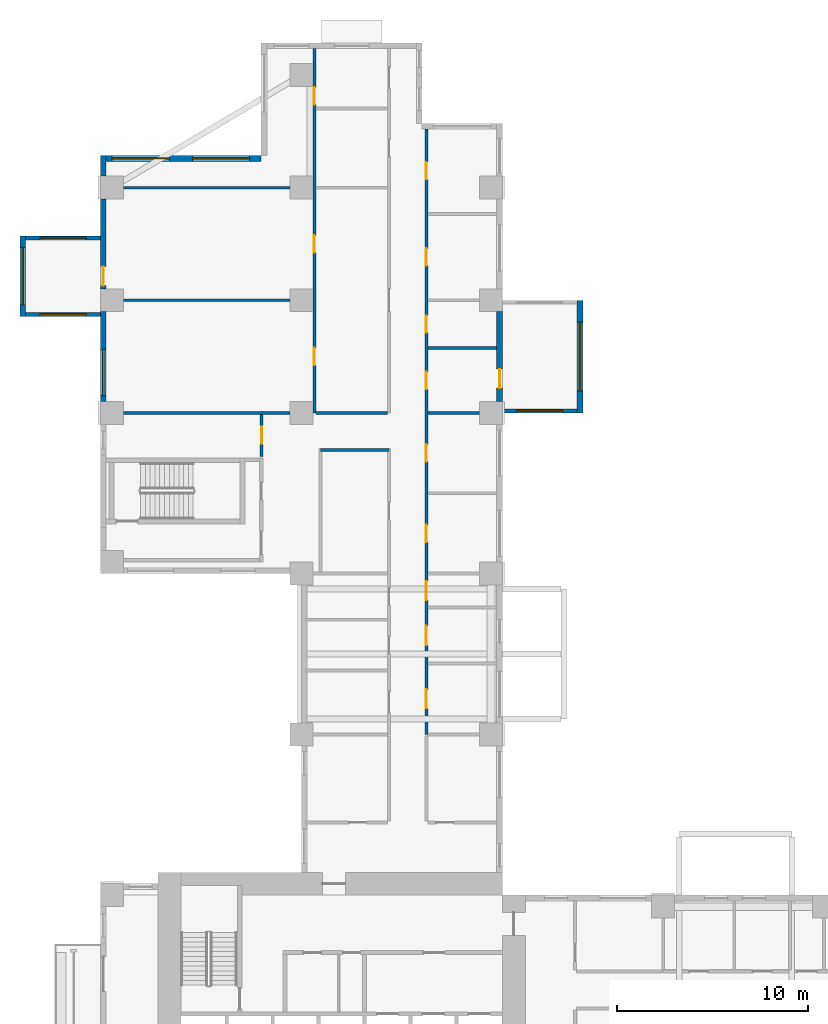
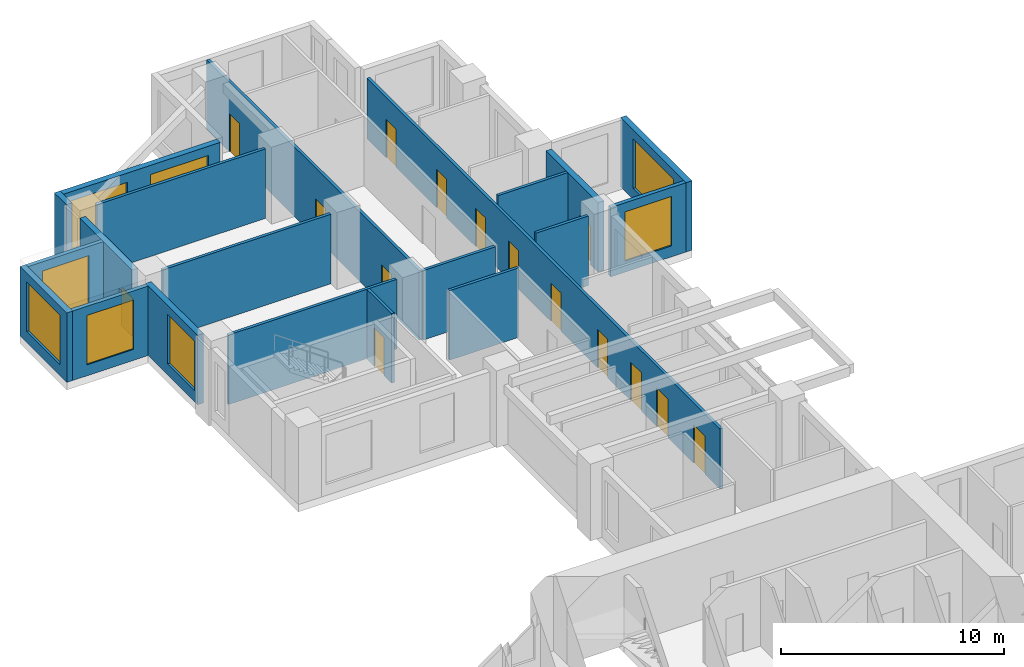
# One storey, part 7 of 15: 20 walls, 15 doors, 8 windows, 23 openings.
"""IFC4 building model written with IfcOpenShell, lengths in metres."""

from ifc_helpers import new_model, si_unit, direction, frame, frame_2d, origin, place, context, subcontext, project, spatial, rectangle, extrude, source, transform, mapped, material, layer, layer_set, type_object, element, fill, save


model = new_model("IFC4")

# Units and contexts
model_context = context("Model", 3, precision=1e-05, world=origin(), true_north=direction((0.0, 1.0)))
body_context = subcontext(model_context, "Body", "Model", "MODEL_VIEW")
ifc_project = project(units=[si_unit("LENGTHUNIT", "METRE"), si_unit("AREAUNIT", "SQUARE_METRE"), si_unit("VOLUMEUNIT", "CUBIC_METRE"), si_unit("PLANEANGLEUNIT", "RADIAN"), si_unit("MASSUNIT", "GRAM", prefix="KILO")], contexts=[model_context])

# Site, building, storey
site_placement = place(None, origin())
site = spatial("IfcSite", under=ifc_project, at=site_placement, CompositionType="ELEMENT")
building_placement = place(site_placement, origin())
building = spatial("IfcBuilding", under=site, at=building_placement, Name="Aurelian Terraces", CompositionType="ELEMENT")
storey_placement = place(building_placement, frame((0.0, 0.0, 74.1)))
storey = spatial("IfcBuildingStorey", under=building, at=storey_placement, Name="L15", CompositionType="ELEMENT", Elevation=74.1)

# Wall, opening, door
ifc_material_1 = material(Name="Terracotta rainscreen cladding", Category="masonry")
ifc_layer_1 = layer(ifc_material_1, 0.3)
ifc_layer_set_1 = layer_set([ifc_layer_1], Name="EW-300")
wall_type_1 = type_object("IfcWallType", Name="EW-300", PredefinedType="STANDARD", material=ifc_layer_set_1)
shared_shape_1 = source(origin(), body_context, "Body", "SweptSolid", [
    extrude(rectangle(XDim=4.68, YDim=0.3, at=frame_2d((2.34, 0.0))), origin(), (0.0, 0.0, 1.0), 3.8),
])
wall_1_placement = place(storey_placement, frame((20.85, 46.8, 0.0), z_axis=(0.0, 0.0, 1.0), x_axis=(0.0, 1.0, 0.0)))
wall_1 = element("IfcWall", 1, at=wall_1_placement, inside=storey, type_object=wall_type_1, Name="External wall L15 F08.24", PredefinedType="STANDARD", context=body_context, shape_type="MappedRepresentation", body=[
    mapped(shared_shape_1, transform((0.0, 0.0, 0.0), scale=1.0)),
])
shared_shape_2 = source(origin(), body_context, "Body", "SweptSolid", [
    extrude(rectangle(XDim=1.0, YDim=2.1, at=frame_2d((0.5, 1.05))), frame((0.0, 0.16, 0.0), z_axis=(0.0, -1.0, 0.0), x_axis=(1.0, 0.0, 0.0)), (0.0, 0.0, 1.0), 0.32),
])
opening_1_placement = place(wall_1_placement, frame((0.685, 0.0, 0.0)))
opening_1 = element("IfcOpeningElement", 2, at=opening_1_placement, cuts=wall_1, Name="Opening 815004", PredefinedType="OPENING", context=body_context, shape_type="MappedRepresentation", body=[
    mapped(shared_shape_2, transform((0.0, 0.0, 0.0), scale=1.0)),
])
ifc_material_2 = material(Name="Timber door leaf", Category="wood")
door_type_1 = type_object("IfcDoorType", Name="Room door 1000x2100 left", OperationType="SINGLE_SWING_LEFT", PredefinedType="DOOR", material=ifc_material_2)
shared_shape_3 = source(origin(), body_context, "Body", "SweptSolid", [
    extrude(rectangle(XDim=1.0, YDim=2.1, at=frame_2d((0.5, 1.05))), frame((0.0, 0.025, 0.0), z_axis=(0.0, -1.0, 0.0), x_axis=(1.0, 0.0, 0.0)), (0.0, 0.0, 1.0), 0.05),
])
door_1_placement = place(opening_1_placement, origin())
door_1 = element("IfcDoor", 3, at=door_1_placement, inside=storey, type_object=door_type_1, Name="Door 815004", OperationType="SINGLE_SWING_LEFT", OverallHeight=2.1, OverallWidth=1.0, PredefinedType="DOOR", context=body_context, shape_type="MappedRepresentation", body=[
    mapped(shared_shape_3, transform((0.0, 0.0, 0.0), scale=1.0)),
])
fill(opening_1, door_1)

wall_2_placement = place(storey_placement, frame((0.15, 57.36, 0.0), z_axis=(0.0, 0.0, 1.0), x_axis=(0.0, -1.0, 0.0)))
wall_2 = element("IfcWall", 4, at=wall_2_placement, inside=storey, type_object=wall_type_1, Name="External wall L15 F14.33", PredefinedType="STANDARD", context=body_context, shape_type="MappedRepresentation", body=[
    mapped(shared_shape_1, transform((0.0, 0.0, 0.0), scale=1.0)),
])
opening_2_placement = place(wall_2_placement, frame((3.52, 0.0, 0.0)))
opening_2 = element("IfcOpeningElement", 5, at=opening_2_placement, cuts=wall_2, Name="Opening 815001", PredefinedType="OPENING", context=body_context, shape_type="MappedRepresentation", body=[
    mapped(shared_shape_2, transform((0.0, 0.0, 0.0), scale=1.0)),
])
door_2_placement = place(opening_2_placement, origin())
door_2 = element("IfcDoor", 6, at=door_2_placement, inside=storey, type_object=door_type_1, Name="Door 815001", OperationType="SINGLE_SWING_LEFT", OverallHeight=2.1, OverallWidth=1.0, PredefinedType="DOOR", context=body_context, shape_type="MappedRepresentation", body=[
    mapped(shared_shape_3, transform((0.0, 0.0, 0.0), scale=1.0)),
])
fill(opening_2, door_2)

# Wall, opening, window
wall_3_placement = place(storey_placement, frame((0.15, 51.48, 0.0), z_axis=(0.0, 0.0, 1.0), x_axis=(0.0, -1.0, 0.0)))
wall_3 = element("IfcWall", 7, at=wall_3_placement, inside=storey, type_object=wall_type_1, Name="External wall L15 F14.33", PredefinedType="STANDARD", context=body_context, shape_type="MappedRepresentation", body=[
    mapped(shared_shape_1, transform((0.0, 0.0, 0.0), scale=1.0)),
])
shared_shape_4 = source(origin(), body_context, "Body", "SweptSolid", [
    extrude(rectangle(XDim=2.4, YDim=2.7, at=frame_2d((1.2, 1.35))), frame((0.0, 0.16, 0.0), z_axis=(0.0, -1.0, 0.0), x_axis=(1.0, 0.0, 0.0)), (0.0, 0.0, 1.0), 0.32),
])
opening_3_placement = place(wall_3_placement, frame((1.98, 0.0, 0.6)))
opening_3 = element("IfcOpeningElement", 8, at=opening_3_placement, cuts=wall_3, Name="Opening W2427", PredefinedType="OPENING", context=body_context, shape_type="MappedRepresentation", body=[
    mapped(shared_shape_4, transform((0.0, 0.0, 0.0), scale=1.0)),
])
ifc_material_3 = material(Name="Clear glazing", Category="glass")
window_type_1 = type_object("IfcWindowType", Name="W-2400x2700", PartitioningType="SINGLE_PANEL", PredefinedType="WINDOW", material=ifc_material_3)
shared_shape_5 = source(origin(), body_context, "Body", "SweptSolid", [
    extrude(rectangle(XDim=2.4, YDim=2.7, at=frame_2d((1.2, 1.35))), frame((0.0, 0.03, 0.0), z_axis=(0.0, -1.0, 0.0), x_axis=(1.0, 0.0, 0.0)), (0.0, 0.0, 1.0), 0.06),
])
window_1_placement = place(opening_3_placement, origin())
window_1 = element("IfcWindow", 9, at=window_1_placement, inside=storey, type_object=window_type_1, Name="Window L15 L15-F14-33-2", OverallHeight=2.7, OverallWidth=2.4, PartitioningType="SINGLE_PANEL", PredefinedType="WINDOW", context=body_context, shape_type="MappedRepresentation", body=[
    mapped(shared_shape_5, transform((0.0, 0.0, 0.0), scale=1.0)),
])
fill(opening_3, window_1)

# Wall
shared_shape_6 = source(origin(), body_context, "Body", "SweptSolid", [
    extrude(rectangle(XDim=1.08, YDim=0.3, at=frame_2d((0.54, 0.0))), origin(), (0.0, 0.0, 1.0), 3.8),
])
wall_4_placement = place(storey_placement, frame((0.15, 59.64, 0.0), z_axis=(0.0, 0.0, 1.0), x_axis=(0.0, -1.0, 0.0)))
element("IfcWall", 10, at=wall_4_placement, inside=storey, type_object=wall_type_1, Name="External wall L15 F14.33", PredefinedType="STANDARD", context=body_context, shape_type="MappedRepresentation", body=[
    mapped(shared_shape_6, transform((0.0, 0.0, 0.0), scale=1.0)),
])

# Wall, opening, window
ifc_material_4 = material(Name="Concrete fc' 40 MPa", Category="concrete")
ifc_layer_2 = layer(ifc_material_4, 0.2)
ifc_layer_set_2 = layer_set([ifc_layer_2], Name="BOX BEARING WALL 200")
wall_type_2 = type_object("IfcWallType", Name="BOX BEARING WALL 200", PredefinedType="SOLIDWALL", material=ifc_layer_set_2)
shared_shape_7 = source(origin(), body_context, "Body", "SweptSolid", [
    extrude(rectangle(XDim=3.9, YDim=0.2, at=frame_2d((1.95, 0.0))), origin(), (0.0, 0.0, 1.0), 3.79),
])
wall_5_placement = place(storey_placement, frame((21.0, 46.3, 0.0), z_axis=(0.0, 0.0, 1.0), x_axis=(1.0, 0.0, 0.0)))
wall_5 = element("IfcWall", 11, at=wall_5_placement, inside=storey, type_object=wall_type_2, Name="Box return L15 J18.1", PredefinedType="SOLIDWALL", context=body_context, shape_type="MappedRepresentation", body=[
    mapped(shared_shape_7, transform((0.0, 0.0, 0.0), scale=1.0)),
])
shared_shape_8 = source(origin(), body_context, "Body", "SweptSolid", [
    extrude(rectangle(XDim=2.4, YDim=2.7, at=frame_2d((1.2, 1.35))), frame((0.0, 0.11, 0.0), z_axis=(0.0, -1.0, 0.0), x_axis=(1.0, 0.0, 0.0)), (0.0, 0.0, 1.0), 0.22),
])
opening_4_placement = place(wall_5_placement, frame((0.75, 0.0, 0.6)))
opening_4 = element("IfcOpeningElement", 12, at=opening_4_placement, cuts=wall_5, Name="Opening W2427", PredefinedType="OPENING", context=body_context, shape_type="MappedRepresentation", body=[
    mapped(shared_shape_8, transform((0.0, 0.0, 0.0), scale=1.0)),
])
window_2_placement = place(opening_4_placement, origin())
window_2 = element("IfcWindow", 13, at=window_2_placement, inside=storey, type_object=window_type_1, Name="Window L15 J18-S1", OverallHeight=2.7, OverallWidth=2.4, PartitioningType="SINGLE_PANEL", PredefinedType="WINDOW", context=body_context, shape_type="MappedRepresentation", body=[
    mapped(shared_shape_5, transform((0.0, 0.0, 0.0), scale=1.0)),
])
fill(opening_4, window_2)

shared_shape_9 = source(origin(), body_context, "Body", "SweptSolid", [
    extrude(rectangle(XDim=3.9, YDim=0.2, at=frame_2d((1.95, 0.0))), origin(), (0.0, 0.0, 1.0), 3.8),
])
wall_6_placement = place(storey_placement, frame((0.0, 55.34, 0.0), z_axis=(0.0, 0.0, 1.0), x_axis=(-1.0, 0.0, 0.0)))
wall_6 = element("IfcWall", 14, at=wall_6_placement, inside=storey, type_object=wall_type_2, Name="Box return L15 J15.1", PredefinedType="SOLIDWALL", context=body_context, shape_type="MappedRepresentation", body=[
    mapped(shared_shape_9, transform((0.0, 0.0, 0.0), scale=1.0)),
])
opening_5_placement = place(wall_6_placement, frame((0.75, 0.0, 0.6)))
opening_5 = element("IfcOpeningElement", 15, at=opening_5_placement, cuts=wall_6, Name="Opening W2427", PredefinedType="OPENING", context=body_context, shape_type="MappedRepresentation", body=[
    mapped(shared_shape_8, transform((0.0, 0.0, 0.0), scale=1.0)),
])
window_3_placement = place(opening_5_placement, origin())
window_3 = element("IfcWindow", 16, at=window_3_placement, inside=storey, type_object=window_type_1, Name="Window L15 J15-S1", OverallHeight=2.7, OverallWidth=2.4, PartitioningType="SINGLE_PANEL", PredefinedType="WINDOW", context=body_context, shape_type="MappedRepresentation", body=[
    mapped(shared_shape_5, transform((0.0, 0.0, 0.0), scale=1.0)),
])
fill(opening_5, window_3)

wall_7_placement = place(storey_placement, frame((0.0, 51.34, 0.0), z_axis=(0.0, 0.0, 1.0), x_axis=(-1.0, 0.0, 0.0)))
wall_7 = element("IfcWall", 17, at=wall_7_placement, inside=storey, type_object=wall_type_2, Name="Box return L15 J15.2", PredefinedType="SOLIDWALL", context=body_context, shape_type="MappedRepresentation", body=[
    mapped(shared_shape_9, transform((0.0, 0.0, 0.0), scale=1.0)),
])
opening_6_placement = place(wall_7_placement, frame((0.75, 0.0, 0.6)))
opening_6 = element("IfcOpeningElement", 18, at=opening_6_placement, cuts=wall_7, Name="Opening W2427", PredefinedType="OPENING", context=body_context, shape_type="MappedRepresentation", body=[
    mapped(shared_shape_8, transform((0.0, 0.0, 0.0), scale=1.0)),
])
window_4_placement = place(opening_6_placement, origin())
window_4 = element("IfcWindow", 19, at=window_4_placement, inside=storey, type_object=window_type_1, Name="Window L15 J15-S2", OverallHeight=2.7, OverallWidth=2.4, PartitioningType="SINGLE_PANEL", PredefinedType="WINDOW", context=body_context, shape_type="MappedRepresentation", body=[
    mapped(shared_shape_5, transform((0.0, 0.0, 0.0), scale=1.0)),
])
fill(opening_6, window_4)

ifc_layer_3 = layer(ifc_material_4, 0.3)
ifc_layer_set_3 = layer_set([ifc_layer_3], Name="BOX BEARING WALL 300")
wall_type_3 = type_object("IfcWallType", Name="BOX BEARING WALL 300", PredefinedType="SOLIDWALL", material=ifc_layer_set_3)
shared_shape_10 = source(origin(), body_context, "Body", "SweptSolid", [
    extrude(rectangle(XDim=5.88, YDim=0.3, at=frame_2d((2.94, 0.0))), origin(), (0.0, 0.0, 1.0), 3.79),
])
wall_8_placement = place(storey_placement, frame((25.05, 46.2, 0.0), z_axis=(0.0, 0.0, 1.0), x_axis=(0.0, 1.0, 0.0)))
wall_8 = element("IfcWall", 20, at=wall_8_placement, inside=storey, type_object=wall_type_3, Name="Box wall L15 J18", PredefinedType="SOLIDWALL", context=body_context, shape_type="MappedRepresentation", body=[
    mapped(shared_shape_10, transform((0.0, 0.0, 0.0), scale=1.0)),
])
shared_shape_11 = source(origin(), body_context, "Body", "SweptSolid", [
    extrude(rectangle(XDim=3.6, YDim=2.7, at=frame_2d((1.8, 1.35))), frame((0.0, 0.16, 0.0), z_axis=(0.0, -1.0, 0.0), x_axis=(1.0, 0.0, 0.0)), (0.0, 0.0, 1.0), 0.32),
])
opening_7_placement = place(wall_8_placement, frame((1.14, 0.0, 0.6)))
opening_7 = element("IfcOpeningElement", 21, at=opening_7_placement, cuts=wall_8, Name="Opening W3627", PredefinedType="OPENING", context=body_context, shape_type="MappedRepresentation", body=[
    mapped(shared_shape_11, transform((0.0, 0.0, 0.0), scale=1.0)),
])
window_type_2 = type_object("IfcWindowType", Name="W-3600x2700", PartitioningType="SINGLE_PANEL", PredefinedType="WINDOW", material=ifc_material_3)
shared_shape_12 = source(origin(), body_context, "Body", "SweptSolid", [
    extrude(rectangle(XDim=3.6, YDim=2.7, at=frame_2d((1.8, 1.35))), frame((0.0, 0.03, 0.0), z_axis=(0.0, -1.0, 0.0), x_axis=(1.0, 0.0, 0.0)), (0.0, 0.0, 1.0), 0.06),
])
window_5_placement = place(opening_7_placement, origin())
window_5 = element("IfcWindow", 22, at=window_5_placement, inside=storey, type_object=window_type_2, Name="Window L15 J18-F1", OverallHeight=2.7, OverallWidth=3.6, PartitioningType="SINGLE_PANEL", PredefinedType="WINDOW", context=body_context, shape_type="MappedRepresentation", body=[
    mapped(shared_shape_12, transform((0.0, 0.0, 0.0), scale=1.0)),
])
fill(opening_7, window_5)

shared_shape_13 = source(origin(), body_context, "Body", "SweptSolid", [
    extrude(rectangle(XDim=4.2, YDim=0.3, at=frame_2d((2.1, 0.0))), origin(), (0.0, 0.0, 1.0), 3.8),
])
wall_9_placement = place(storey_placement, frame((-4.05, 55.44, 0.0), z_axis=(0.0, 0.0, 1.0), x_axis=(0.0, -1.0, 0.0)))
wall_9 = element("IfcWall", 23, at=wall_9_placement, inside=storey, type_object=wall_type_3, Name="Box wall L15 J15", PredefinedType="SOLIDWALL", context=body_context, shape_type="MappedRepresentation", body=[
    mapped(shared_shape_13, transform((0.0, 0.0, 0.0), scale=1.0)),
])
shared_shape_14 = source(origin(), body_context, "Body", "SweptSolid", [
    extrude(rectangle(XDim=3.0, YDim=2.7, at=frame_2d((1.5, 1.35))), frame((0.0, 0.16, 0.0), z_axis=(0.0, -1.0, 0.0), x_axis=(1.0, 0.0, 0.0)), (0.0, 0.0, 1.0), 0.32),
])
opening_8_placement = place(wall_9_placement, frame((0.6, 0.0, 0.6)))
opening_8 = element("IfcOpeningElement", 24, at=opening_8_placement, cuts=wall_9, Name="Opening W3027", PredefinedType="OPENING", context=body_context, shape_type="MappedRepresentation", body=[
    mapped(shared_shape_14, transform((0.0, 0.0, 0.0), scale=1.0)),
])
window_type_3 = type_object("IfcWindowType", Name="W-3000x2700", PartitioningType="SINGLE_PANEL", PredefinedType="WINDOW", material=ifc_material_3)
shared_shape_15 = source(origin(), body_context, "Body", "SweptSolid", [
    extrude(rectangle(XDim=3.0, YDim=2.7, at=frame_2d((1.5, 1.35))), frame((0.0, 0.03, 0.0), z_axis=(0.0, -1.0, 0.0), x_axis=(1.0, 0.0, 0.0)), (0.0, 0.0, 1.0), 0.06),
])
window_6_placement = place(opening_8_placement, origin())
window_6 = element("IfcWindow", 25, at=window_6_placement, inside=storey, type_object=window_type_3, Name="Window L15 J15-F1", OverallHeight=2.7, OverallWidth=3.0, PartitioningType="SINGLE_PANEL", PredefinedType="WINDOW", context=body_context, shape_type="MappedRepresentation", body=[
    mapped(shared_shape_15, transform((0.0, 0.0, 0.0), scale=1.0)),
])
fill(opening_8, window_6)

# Wall, openings, windows
shared_shape_16 = source(origin(), body_context, "Body", "SweptSolid", [
    extrude(rectangle(XDim=8.4, YDim=0.3, at=frame_2d((4.2, 0.0))), origin(), (0.0, 0.0, 1.0), 3.8),
])
wall_10_placement = place(storey_placement, frame((8.4, 59.49, 0.0), z_axis=(0.0, 0.0, 1.0), x_axis=(-1.0, 0.0, 0.0)))
wall_10 = element("IfcWall", 26, at=wall_10_placement, inside=storey, type_object=wall_type_1, Name="External wall L15 F13.32", PredefinedType="STANDARD", context=body_context, shape_type="MappedRepresentation", body=[
    mapped(shared_shape_16, transform((0.0, 0.0, 0.0), scale=1.0)),
])
opening_9_placement = place(wall_10_placement, frame((0.6, 0.0, 0.6)))
opening_9 = element("IfcOpeningElement", 27, at=opening_9_placement, cuts=wall_10, Name="Opening W3027", PredefinedType="OPENING", context=body_context, shape_type="MappedRepresentation", body=[
    mapped(shared_shape_14, transform((0.0, 0.0, 0.0), scale=1.0)),
])
opening_10_placement = place(wall_10_placement, frame((4.8, 0.0, 0.6)))
opening_10 = element("IfcOpeningElement", 28, at=opening_10_placement, cuts=wall_10, Name="Opening W3027", PredefinedType="OPENING", context=body_context, shape_type="MappedRepresentation", body=[
    mapped(shared_shape_14, transform((0.0, 0.0, 0.0), scale=1.0)),
])
window_7_placement = place(opening_9_placement, origin())
window_7 = element("IfcWindow", 29, at=window_7_placement, inside=storey, type_object=window_type_3, Name="Window L15 L15-F13-32-0", OverallHeight=2.7, OverallWidth=3.0, PartitioningType="SINGLE_PANEL", PredefinedType="WINDOW", context=body_context, shape_type="MappedRepresentation", body=[
    mapped(shared_shape_15, transform((0.0, 0.0, 0.0), scale=1.0)),
])
fill(opening_9, window_7)
window_8_placement = place(opening_10_placement, origin())
window_8 = element("IfcWindow", 30, at=window_8_placement, inside=storey, type_object=window_type_3, Name="Window L15 L15-F13-32-1", OverallHeight=2.7, OverallWidth=3.0, PartitioningType="SINGLE_PANEL", PredefinedType="WINDOW", context=body_context, shape_type="MappedRepresentation", body=[
    mapped(shared_shape_15, transform((0.0, 0.0, 0.0), scale=1.0)),
])
fill(opening_10, window_8)

# Walls
ifc_material_5 = material(Name="Gypsum board on steel studs", Category="steel")
ifc_layer_4 = layer(ifc_material_5, 0.15)
ifc_layer_set_4 = layer_set([ifc_layer_4], Name="Partition 150")
wall_type_4 = type_object("IfcWallType", Name="Partition 150", PredefinedType="PARTITIONING", material=ifc_layer_set_4)
shared_shape_17 = source(origin(), body_context, "Body", "SweptSolid", [
    extrude(rectangle(XDim=3.75, YDim=0.15, at=frame_2d((1.875, 0.0))), origin(), (0.0, 0.0, 1.0), 3.8),
])
wall_11_placement = place(storey_placement, frame((15.0, 46.2, 0.0), z_axis=(0.0, 0.0, 1.0), x_axis=(-1.0, 0.0, 0.0)))
element("IfcWall", 31, at=wall_11_placement, inside=storey, type_object=wall_type_4, Name="Partition", PredefinedType="PARTITIONING", context=body_context, shape_type="MappedRepresentation", body=[
    mapped(shared_shape_17, transform((0.0, 0.0, 0.0), scale=1.0)),
])
shared_shape_18 = source(origin(), body_context, "Body", "SweptSolid", [
    extrude(rectangle(XDim=8.702, YDim=0.15, at=frame_2d((4.351, 0.0))), origin(), (0.0, 0.0, 1.0), 3.8),
])
for number, where, z_axis, x_axis, name in (
    (32, (9.901, 52.08, 0.0), (0.0, 0.0, 1.0), (-1.0, 0.0, 0.0), "Partition"),
    (33, (9.901, 46.2, 0.0), (0.0, 0.0, 1.0), (-1.0, 0.0, 0.0), "Partition"),
    (34, (9.901, 57.96, 0.0), (0.0, 0.0, 1.0), (-1.0, 0.0, 0.0), "Partition"),
):
    element("IfcWall", number, at=place(storey_placement, frame(where, z_axis=z_axis, x_axis=x_axis)), inside=storey, type_object=wall_type_4, Name=name, PredefinedType="PARTITIONING", context=body_context, shape_type="MappedRepresentation", body=[
        mapped(shared_shape_18, transform((0.0, 0.0, 0.0), scale=1.0)),
    ])
shared_shape_19 = source(origin(), body_context, "Body", "SweptSolid", [
    extrude(rectangle(XDim=3.6, YDim=0.15, at=frame_2d((1.8, 0.0))), origin(), (0.0, 0.0, 1.0), 3.8),
])
wall_12_placement = place(storey_placement, frame((17.1, 49.5866, 0.0), z_axis=(0.0, 0.0, 1.0), x_axis=(1.0, 0.0, 0.0)))
element("IfcWall", 35, at=wall_12_placement, inside=storey, type_object=wall_type_4, Name="Partition", PredefinedType="PARTITIONING", context=body_context, shape_type="MappedRepresentation", body=[
    mapped(shared_shape_19, transform((0.0, 0.0, 0.0), scale=1.0)),
])
shared_shape_20 = source(origin(), body_context, "Body", "SweptSolid", [
    extrude(rectangle(XDim=2.701, YDim=0.15, at=frame_2d((1.3505, 0.0))), origin(), (0.0, 0.0, 1.0), 3.8),
])
wall_13_placement = place(storey_placement, frame((19.801, 46.2, 0.0), z_axis=(0.0, 0.0, 1.0), x_axis=(-1.0, 0.0, 0.0)))
element("IfcWall", 36, at=wall_13_placement, inside=storey, type_object=wall_type_4, Name="Partition", PredefinedType="PARTITIONING", context=body_context, shape_type="MappedRepresentation", body=[
    mapped(shared_shape_20, transform((0.0, 0.0, 0.0), scale=1.0)),
])

# Wall, opening, door
shared_shape_21 = source(origin(), body_context, "Body", "SweptSolid", [
    extrude(rectangle(XDim=2.2, YDim=0.15, at=frame_2d((1.1, 0.0))), origin(), (0.0, 0.0, 1.0), 3.8),
])
wall_14_placement = place(storey_placement, frame((8.425, 43.925, 0.0), z_axis=(0.0, 0.0, 1.0), x_axis=(0.0, 1.0, 0.0)))
wall_14 = element("IfcWall", 37, at=wall_14_placement, inside=storey, type_object=wall_type_4, Name="Partition", PredefinedType="PARTITIONING", context=body_context, shape_type="MappedRepresentation", body=[
    mapped(shared_shape_21, transform((0.0, 0.0, 0.0), scale=1.0)),
])
shared_shape_22 = source(origin(), body_context, "Body", "SweptSolid", [
    extrude(rectangle(XDim=0.9, YDim=2.1, at=frame_2d((0.45, 1.05))), frame((0.0, 0.085, 0.0), z_axis=(0.0, -1.0, 0.0), x_axis=(1.0, 0.0, 0.0)), (0.0, 0.0, 1.0), 0.17),
])
opening_11_placement = place(wall_14_placement, frame((0.65, 0.0, 0.0)))
opening_11 = element("IfcOpeningElement", 38, at=opening_11_placement, cuts=wall_14, Name="Opening 715032", PredefinedType="OPENING", context=body_context, shape_type="MappedRepresentation", body=[
    mapped(shared_shape_22, transform((0.0, 0.0, 0.0), scale=1.0)),
])
door_type_2 = type_object("IfcDoorType", Name="Room door 900x2100 right", OperationType="SINGLE_SWING_RIGHT", PredefinedType="DOOR", material=ifc_material_2)
shared_shape_23 = source(origin(), body_context, "Body", "SweptSolid", [
    extrude(rectangle(XDim=0.9, YDim=2.1, at=frame_2d((0.45, 1.05))), frame((0.0, 0.025, 0.0), z_axis=(0.0, -1.0, 0.0), x_axis=(1.0, 0.0, 0.0)), (0.0, 0.0, 1.0), 0.05),
])
door_3_placement = place(opening_11_placement, origin())
door_3 = element("IfcDoor", 39, at=door_3_placement, inside=storey, type_object=door_type_2, Name="Door 715032", OperationType="SINGLE_SWING_RIGHT", OverallHeight=2.1, OverallWidth=0.9, PredefinedType="DOOR", context=body_context, shape_type="MappedRepresentation", body=[
    mapped(shared_shape_23, transform((0.0, 0.0, 0.0), scale=1.0)),
])
fill(opening_11, door_3)

# Wall
shared_shape_24 = source(origin(), body_context, "Body", "SweptSolid", [
    extrude(rectangle(XDim=3.575, YDim=0.15, at=frame_2d((1.7875, 0.0))), origin(), (0.0, 0.0, 1.0), 3.8),
])
wall_15_placement = place(storey_placement, frame((15.075, 44.25, 0.0), z_axis=(0.0, 0.0, 1.0), x_axis=(-1.0, 0.0, 0.0)))
element("IfcWall", 40, at=wall_15_placement, inside=storey, type_object=wall_type_4, Name="Partition", PredefinedType="PARTITIONING", context=body_context, shape_type="MappedRepresentation", body=[
    mapped(shared_shape_24, transform((0.0, 0.0, 0.0), scale=1.0)),
])

# Wall, openings, doors
shared_shape_25 = source(origin(), body_context, "Body", "SweptSolid", [
    extrude(rectangle(XDim=19.02, YDim=0.15, at=frame_2d((9.51, 0.0))), origin(), (0.0, 0.0, 1.0), 3.8),
])
wall_16_placement = place(storey_placement, frame((11.175, 46.2, 0.0), z_axis=(0.0, 0.0, 1.0), x_axis=(0.0, 1.0, 0.0)))
wall_16 = element("IfcWall", 41, at=wall_16_placement, inside=storey, type_object=wall_type_4, Name="Partition", PredefinedType="PARTITIONING", context=body_context, shape_type="MappedRepresentation", body=[
    mapped(shared_shape_25, transform((0.0, 0.0, 0.0), scale=1.0)),
])
opening_12_placement = place(wall_16_placement, frame((2.4875, 0.0, 0.0)))
opening_12 = element("IfcOpeningElement", 42, at=opening_12_placement, cuts=wall_16, Name="Opening 715037", PredefinedType="OPENING", context=body_context, shape_type="MappedRepresentation", body=[
    mapped(shared_shape_22, transform((0.0, 0.0, 0.0), scale=1.0)),
])
opening_13_placement = place(wall_16_placement, frame((8.3675, 0.0, 0.0)))
opening_13 = element("IfcOpeningElement", 43, at=opening_13_placement, cuts=wall_16, Name="Opening 715038", PredefinedType="OPENING", context=body_context, shape_type="MappedRepresentation", body=[
    mapped(shared_shape_22, transform((0.0, 0.0, 0.0), scale=1.0)),
])
opening_14_placement = place(wall_16_placement, frame((16.0942, 0.0, 0.0)))
opening_14 = element("IfcOpeningElement", 44, at=opening_14_placement, cuts=wall_16, Name="Opening 715040", PredefinedType="OPENING", context=body_context, shape_type="MappedRepresentation", body=[
    mapped(shared_shape_22, transform((0.0, 0.0, 0.0), scale=1.0)),
])
door_4_placement = place(opening_12_placement, origin())
door_4 = element("IfcDoor", 45, at=door_4_placement, inside=storey, type_object=door_type_2, Name="Door 715037", OperationType="SINGLE_SWING_RIGHT", OverallHeight=2.1, OverallWidth=0.9, PredefinedType="DOOR", context=body_context, shape_type="MappedRepresentation", body=[
    mapped(shared_shape_23, transform((0.0, 0.0, 0.0), scale=1.0)),
])
fill(opening_12, door_4)
door_type_3 = type_object("IfcDoorType", Name="Room door 900x2100 left", OperationType="SINGLE_SWING_LEFT", PredefinedType="DOOR", material=ifc_material_2)
door_5_placement = place(opening_13_placement, origin())
door_5 = element("IfcDoor", 46, at=door_5_placement, inside=storey, type_object=door_type_3, Name="Door 715038", OperationType="SINGLE_SWING_LEFT", OverallHeight=2.1, OverallWidth=0.9, PredefinedType="DOOR", context=body_context, shape_type="MappedRepresentation", body=[
    mapped(shared_shape_23, transform((0.0, 0.0, 0.0), scale=1.0)),
])
fill(opening_13, door_5)
door_6_placement = place(opening_14_placement, origin())
door_6 = element("IfcDoor", 47, at=door_6_placement, inside=storey, type_object=door_type_2, Name="Door 715040", OperationType="SINGLE_SWING_RIGHT", OverallHeight=2.1, OverallWidth=0.9, PredefinedType="DOOR", context=body_context, shape_type="MappedRepresentation", body=[
    mapped(shared_shape_23, transform((0.0, 0.0, 0.0), scale=1.0)),
])
fill(opening_14, door_6)

ifc_layer_5 = layer(ifc_material_5, 0.15)
ifc_layer_set_5 = layer_set([ifc_layer_5], Name="Fire partition 150")
wall_type_5 = type_object("IfcWallType", Name="Fire partition 150", PredefinedType="PARTITIONING", material=ifc_layer_set_5)
shared_shape_26 = source(origin(), body_context, "Body", "SweptSolid", [
    extrude(rectangle(XDim=31.62, YDim=0.15, at=frame_2d((15.81, 0.0))), origin(), (0.0, 0.0, 1.0), 3.3),
])
wall_17_placement = place(storey_placement, frame((17.025, 61.02, 0.0), z_axis=(0.0, 0.0, 1.0), x_axis=(0.0, -1.0, 0.0)))
wall_17 = element("IfcWall", 48, at=wall_17_placement, inside=storey, type_object=wall_type_5, Name="Corridor wall", PredefinedType="PARTITIONING", context=body_context, shape_type="MappedRepresentation", body=[
    mapped(shared_shape_26, transform((0.0, 0.0, 0.0), scale=1.0)),
])
shared_shape_27 = source(origin(), body_context, "Body", "SweptSolid", [
    extrude(rectangle(XDim=1.0, YDim=2.1, at=frame_2d((0.5, 1.05))), frame((0.0, 0.085, 0.0), z_axis=(0.0, -1.0, 0.0), x_axis=(1.0, 0.0, 0.0)), (0.0, 0.0, 1.0), 0.17),
])
opening_15_placement = place(wall_17_placement, frame((29.2633, 0.0, 0.0)))
opening_15 = element("IfcOpeningElement", 49, at=opening_15_placement, cuts=wall_17, Name="Opening 715042", PredefinedType="OPENING", context=body_context, shape_type="MappedRepresentation", body=[
    mapped(shared_shape_27, transform((0.0, 0.0, 0.0), scale=1.0)),
])
opening_16_placement = place(wall_17_placement, frame((25.9514, 0.0, 0.0)))
opening_16 = element("IfcOpeningElement", 50, at=opening_16_placement, cuts=wall_17, Name="Opening 715043", PredefinedType="OPENING", context=body_context, shape_type="MappedRepresentation", body=[
    mapped(shared_shape_27, transform((0.0, 0.0, 0.0), scale=1.0)),
])
opening_17_placement = place(wall_17_placement, frame((23.608, 0.0, 0.0)))
opening_17 = element("IfcOpeningElement", 51, at=opening_17_placement, cuts=wall_17, Name="Opening 715044", PredefinedType="OPENING", context=body_context, shape_type="MappedRepresentation", body=[
    mapped(shared_shape_27, transform((0.0, 0.0, 0.0), scale=1.0)),
])
opening_18_placement = place(wall_17_placement, frame((20.67, 0.0, 0.0)))
opening_18 = element("IfcOpeningElement", 52, at=opening_18_placement, cuts=wall_17, Name="Opening 715045", PredefinedType="OPENING", context=body_context, shape_type="MappedRepresentation", body=[
    mapped(shared_shape_22, transform((0.0, 0.0, 0.0), scale=1.0)),
])
opening_19_placement = place(wall_17_placement, frame((16.47, 0.0, 0.0)))
opening_19 = element("IfcOpeningElement", 53, at=opening_19_placement, cuts=wall_17, Name="Opening 715046", PredefinedType="OPENING", context=body_context, shape_type="MappedRepresentation", body=[
    mapped(shared_shape_22, transform((0.0, 0.0, 0.0), scale=1.0)),
])
opening_20_placement = place(wall_17_placement, frame((12.6767, 0.0, 0.0)))
opening_20 = element("IfcOpeningElement", 54, at=opening_20_placement, cuts=wall_17, Name="Opening 715047", PredefinedType="OPENING", context=body_context, shape_type="MappedRepresentation", body=[
    mapped(shared_shape_22, transform((0.0, 0.0, 0.0), scale=1.0)),
])
opening_21_placement = place(wall_17_placement, frame((9.7367, 0.0, 0.0)))
opening_21 = element("IfcOpeningElement", 55, at=opening_21_placement, cuts=wall_17, Name="Opening 715048", PredefinedType="OPENING", context=body_context, shape_type="MappedRepresentation", body=[
    mapped(shared_shape_22, transform((0.0, 0.0, 0.0), scale=1.0)),
])
opening_22_placement = place(wall_17_placement, frame((6.2362, 0.0, 0.0)))
opening_22 = element("IfcOpeningElement", 56, at=opening_22_placement, cuts=wall_17, Name="Opening 715049", PredefinedType="OPENING", context=body_context, shape_type="MappedRepresentation", body=[
    mapped(shared_shape_22, transform((0.0, 0.0, 0.0), scale=1.0)),
])
opening_23_placement = place(wall_17_placement, frame((1.7288, 0.0, 0.0)))
opening_23 = element("IfcOpeningElement", 57, at=opening_23_placement, cuts=wall_17, Name="Opening 715050", PredefinedType="OPENING", context=body_context, shape_type="MappedRepresentation", body=[
    mapped(shared_shape_22, transform((0.0, 0.0, 0.0), scale=1.0)),
])
door_7_placement = place(opening_15_placement, origin())
door_7 = element("IfcDoor", 58, at=door_7_placement, inside=storey, type_object=door_type_1, Name="Door 715042", OperationType="SINGLE_SWING_LEFT", OverallHeight=2.1, OverallWidth=1.0, PredefinedType="DOOR", context=body_context, shape_type="MappedRepresentation", body=[
    mapped(shared_shape_3, transform((0.0, 0.0, 0.0), scale=1.0)),
])
fill(opening_15, door_7)
door_type_4 = type_object("IfcDoorType", Name="Room door 1000x2100 right", OperationType="SINGLE_SWING_RIGHT", PredefinedType="DOOR", material=ifc_material_2)
door_8_placement = place(opening_16_placement, origin())
door_8 = element("IfcDoor", 59, at=door_8_placement, inside=storey, type_object=door_type_4, Name="Door 715043", OperationType="SINGLE_SWING_RIGHT", OverallHeight=2.1, OverallWidth=1.0, PredefinedType="DOOR", context=body_context, shape_type="MappedRepresentation", body=[
    mapped(shared_shape_3, transform((0.0, 0.0, 0.0), scale=1.0)),
])
fill(opening_16, door_8)
door_9_placement = place(opening_17_placement, origin())
door_9 = element("IfcDoor", 60, at=door_9_placement, inside=storey, type_object=door_type_1, Name="Door 715044", OperationType="SINGLE_SWING_LEFT", OverallHeight=2.1, OverallWidth=1.0, PredefinedType="DOOR", context=body_context, shape_type="MappedRepresentation", body=[
    mapped(shared_shape_3, transform((0.0, 0.0, 0.0), scale=1.0)),
])
fill(opening_17, door_9)
door_10_placement = place(opening_18_placement, origin())
door_10 = element("IfcDoor", 61, at=door_10_placement, inside=storey, type_object=door_type_3, Name="Door 715045", OperationType="SINGLE_SWING_LEFT", OverallHeight=2.1, OverallWidth=0.9, PredefinedType="DOOR", context=body_context, shape_type="MappedRepresentation", body=[
    mapped(shared_shape_23, transform((0.0, 0.0, 0.0), scale=1.0)),
])
fill(opening_18, door_10)
door_11_placement = place(opening_19_placement, origin())
door_11 = element("IfcDoor", 62, at=door_11_placement, inside=storey, type_object=door_type_2, Name="Door 715046", OperationType="SINGLE_SWING_RIGHT", OverallHeight=2.1, OverallWidth=0.9, PredefinedType="DOOR", context=body_context, shape_type="MappedRepresentation", body=[
    mapped(shared_shape_23, transform((0.0, 0.0, 0.0), scale=1.0)),
])
fill(opening_19, door_11)
door_12_placement = place(opening_20_placement, origin())
door_12 = element("IfcDoor", 63, at=door_12_placement, inside=storey, type_object=door_type_3, Name="Door 715047", OperationType="SINGLE_SWING_LEFT", OverallHeight=2.1, OverallWidth=0.9, PredefinedType="DOOR", context=body_context, shape_type="MappedRepresentation", body=[
    mapped(shared_shape_23, transform((0.0, 0.0, 0.0), scale=1.0)),
])
fill(opening_20, door_12)
door_13_placement = place(opening_21_placement, origin())
door_13 = element("IfcDoor", 64, at=door_13_placement, inside=storey, type_object=door_type_2, Name="Door 715048", OperationType="SINGLE_SWING_RIGHT", OverallHeight=2.1, OverallWidth=0.9, PredefinedType="DOOR", context=body_context, shape_type="MappedRepresentation", body=[
    mapped(shared_shape_23, transform((0.0, 0.0, 0.0), scale=1.0)),
])
fill(opening_21, door_13)
door_14_placement = place(opening_22_placement, origin())
door_14 = element("IfcDoor", 65, at=door_14_placement, inside=storey, type_object=door_type_3, Name="Door 715049", OperationType="SINGLE_SWING_LEFT", OverallHeight=2.1, OverallWidth=0.9, PredefinedType="DOOR", context=body_context, shape_type="MappedRepresentation", body=[
    mapped(shared_shape_23, transform((0.0, 0.0, 0.0), scale=1.0)),
])
fill(opening_22, door_14)
door_15_placement = place(opening_23_placement, origin())
door_15 = element("IfcDoor", 66, at=door_15_placement, inside=storey, type_object=door_type_2, Name="Door 715050", OperationType="SINGLE_SWING_RIGHT", OverallHeight=2.1, OverallWidth=0.9, PredefinedType="DOOR", context=body_context, shape_type="MappedRepresentation", body=[
    mapped(shared_shape_23, transform((0.0, 0.0, 0.0), scale=1.0)),
])
fill(opening_23, door_15)

save(model, "model.ifc")
